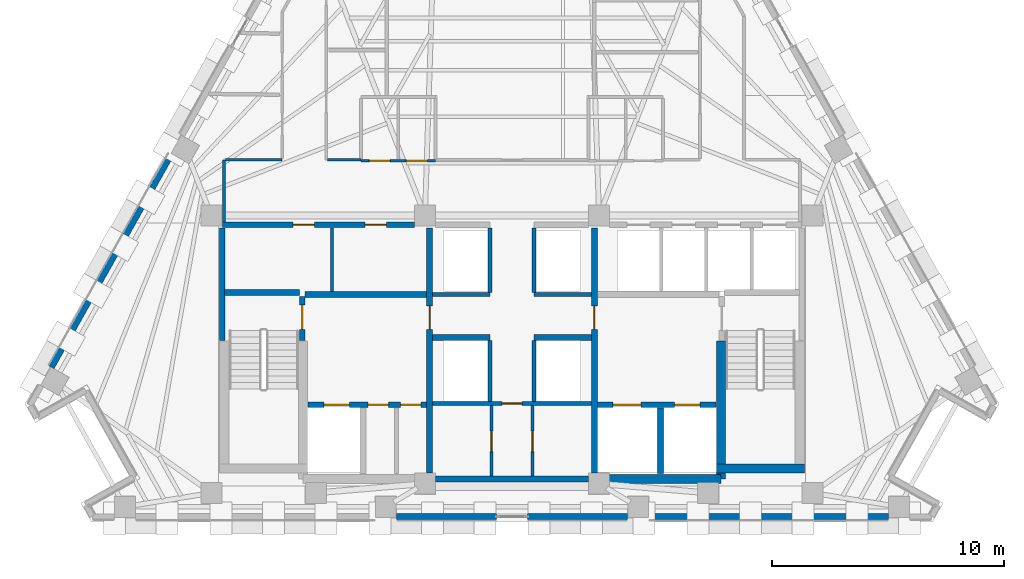
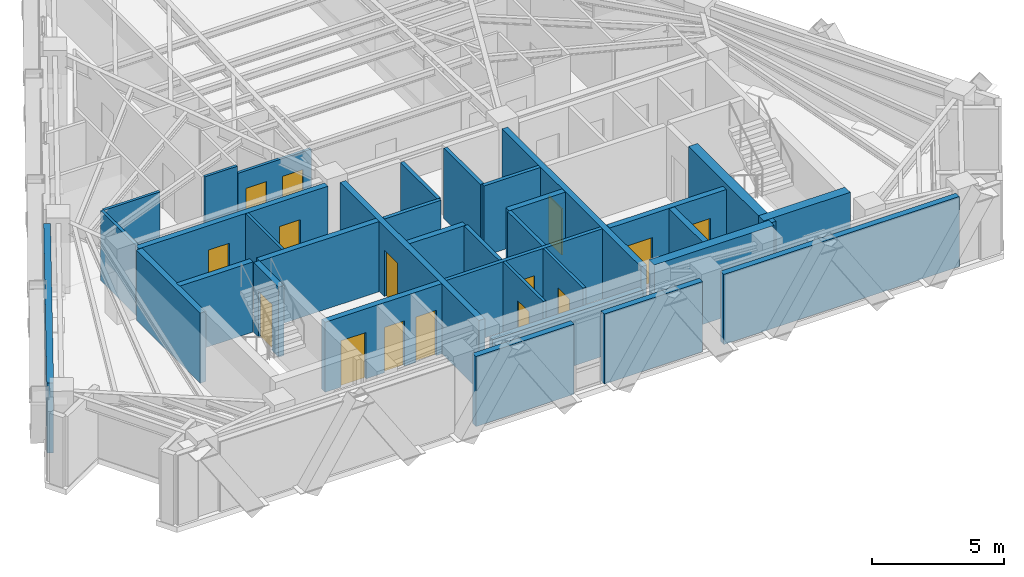
# One storey, part 7 of 12: 34 walls, 15 doors, 15 openings.
"""IFC4 building model written with IfcOpenShell, lengths in metres."""

from ifc_helpers import new_model, si_unit, direction, frame, frame_2d, origin, place, context, subcontext, project, spatial, rectangle, extrude, material, layer, layer_set, type_object, element, fill, save


model = new_model("IFC4")

# Units and contexts
model_context = context("Model", 3, precision=1e-05, world=origin(), true_north=direction((0.0, 1.0)))
body_context = subcontext(model_context, "Body", "Model", "MODEL_VIEW")
ifc_project = project(units=[si_unit("LENGTHUNIT", "METRE"), si_unit("AREAUNIT", "SQUARE_METRE"), si_unit("VOLUMEUNIT", "CUBIC_METRE"), si_unit("PLANEANGLEUNIT", "RADIAN"), si_unit("MASSUNIT", "GRAM", prefix="KILO")], contexts=[model_context])

# Site, building, storey
site_placement = place(None, origin())
site = spatial("IfcSite", under=ifc_project, at=site_placement, CompositionType="ELEMENT")
building_placement = place(site_placement, origin())
building = spatial("IfcBuilding", under=site, at=building_placement, Name="Quenlor Broadcast Tower", CompositionType="ELEMENT")
storey_placement = place(building_placement, frame((0.0, 0.0, 186.89990234375)))
storey = spatial("IfcBuildingStorey", under=building, at=storey_placement, Name="L51", CompositionType="ELEMENT", Elevation=186.89990234375)

# Walls
ifc_material_1 = material(Name="Concrete C50/60", Category="concrete")
ifc_layer_1 = layer(ifc_material_1, 0.39990234375)
ifc_layer_set_1 = layer_set([ifc_layer_1], Name="Core Concrete C50/60 Shear Wall 400")
wall_type_1 = type_object("IfcWallType", Name="Core Concrete C50/60 Shear Wall 400", PredefinedType="SHEAR", material=ifc_layer_set_1)
wall_1_placement = place(storey_placement, frame((3.75, -16.14990234375, 0.0), z_axis=(0.0, 0.0, 1.0), x_axis=(1.0, 0.0, 0.0)))
element("IfcWall", 1, at=wall_1_placement, inside=storey, type_object=wall_type_1, Name="L51 Core Shear Wall WS-E1", PredefinedType="SHEAR", context=body_context, shape_type="SweptSolid", body=[
    extrude(rectangle(XDim=5.25, YDim=0.39990234375, at=frame_2d((2.625, 0.0))), origin(), (0.0, 0.0, 1.0), 3.5),
])
wall_2_placement = place(storey_placement, frame((8.800048828125, -15.699951171875, 0.0), z_axis=(0.0, 0.0, 1.0), x_axis=(1.0, 0.0, 0.0)))
element("IfcWall", 2, at=wall_2_placement, inside=storey, type_object=wall_type_1, Name="L51 Core Shear Wall WS-E2", PredefinedType="SHEAR", context=body_context, shape_type="SweptSolid", body=[
    extrude(rectangle(XDim=3.800048828125, YDim=0.39990234375, at=frame_2d((1.89990234375, 0.0))), origin(), (0.0, 0.0, 1.0), 3.5),
])
wall_3_placement = place(storey_placement, frame((9.0, -16.14990234375, 0.0), z_axis=(0.0, 0.0, 1.0), x_axis=(0.0, 1.0, 0.0)))
element("IfcWall", 3, at=wall_3_placement, inside=storey, type_object=wall_type_1, Name="L51 Core Shear Wall WI-E", PredefinedType="SHEAR", context=body_context, shape_type="SweptSolid", body=[
    extrude(rectangle(XDim=5.949951171875, YDim=0.39990234375, at=frame_2d((2.97509765625, 0.0))), origin(), (0.0, 0.0, 1.0), 3.5),
])

# Wall, opening, door
ifc_material_2 = material(Name="Concrete C40/50", Category="concrete")
ifc_layer_2 = layer(ifc_material_2, 0.25)
ifc_layer_set_2 = layer_set([ifc_layer_2], Name="Fire Rated Concrete C40/50 Core Wall 250")
wall_type_2 = type_object("IfcWallType", Name="Fire Rated Concrete C40/50 Core Wall 250", PredefinedType="PARTITIONING", material=ifc_layer_set_2)
wall_4_placement = place(storey_placement, frame((-9.0400390625, -10.179931640625, 0.0), z_axis=(0.0, 0.0, 1.0), x_axis=(0.0, 1.0, 0.0)))
wall_4 = element("IfcWall", 4, at=wall_4_placement, inside=storey, type_object=wall_type_2, Name="L51 Interior Wall CW-ST1-DR", PredefinedType="PARTITIONING", context=body_context, shape_type="SweptSolid", body=[
    extrude(rectangle(XDim=1.89990234375, YDim=0.25, at=frame_2d((0.949951171875, 0.0))), origin(), (0.0, 0.0, 1.0), 3.25),
])
opening_1_placement = place(wall_4_placement, frame((0.47998046875, 0.0, 0.0)))
opening_1 = element("IfcOpeningElement", 5, at=opening_1_placement, cuts=wall_4, Name="Opening FD-1", PredefinedType="OPENING", context=body_context, shape_type="SweptSolid", body=[
    extrude(rectangle(XDim=1.050048828125, YDim=2.14990234375, at=frame_2d((0.52490234375, 1.074951171875))), frame((0.0, 0.135009765625, 0.0), z_axis=(0.0, -1.0, 0.0), x_axis=(1.0, 0.0, 0.0)), (0.0, 0.0, 1.0), 0.27001953125),
])
ifc_material_3 = material(Name="Fire Rated Steel Door Leaf", Category="steel")
door_type_1 = type_object("IfcDoorType", Name="Fire Isolated Stair Door 1050x2150", OperationType="NOTDEFINED", PredefinedType="DOOR", material=ifc_material_3)
door_1_placement = place(opening_1_placement, origin())
door_1 = element("IfcDoor", 6, at=door_1_placement, inside=storey, type_object=door_type_1, Name="L51 Door DR-ST1", OperationType="SINGLE_SWING_LEFT", OverallHeight=2.14990234375, OverallWidth=1.050048828125, PredefinedType="DOOR", context=body_context, shape_type="SweptSolid", body=[
    extrude(rectangle(XDim=1.050048828125, YDim=2.14990234375, at=frame_2d((0.52490234375, 1.074951171875))), frame((0.0, 0.02490234375, 0.0), z_axis=(0.0, -1.0, 0.0), x_axis=(1.0, 0.0, 0.0)), (0.0, 0.0, 1.0), 0.050048828125),
])
fill(opening_1, door_1)

# Walls
wall_5_placement = place(storey_placement, frame((-12.3798828125, -8.1201171875, 0.0), z_axis=(0.0, 0.0, 1.0), x_axis=(1.0, 0.0, 0.0)))
element("IfcWall", 7, at=wall_5_placement, inside=storey, type_object=wall_type_2, Name="L51 Interior Wall CW-ST1-N", PredefinedType="PARTITIONING", context=body_context, shape_type="SweptSolid", body=[
    extrude(rectangle(XDim=3.219970703125, YDim=0.25, at=frame_2d((1.60986328125, 0.0))), origin(), (0.0, 0.0, 1.0), 3.25),
])
wall_6_placement = place(storey_placement, frame((-12.47998046875, -10.179931640625, 0.0), z_axis=(0.0, 0.0, 1.0), x_axis=(0.0, 1.0, 0.0)))
element("IfcWall", 8, at=wall_6_placement, inside=storey, type_object=wall_type_2, Name="L51 Interior Wall CW-ST1-W2", PredefinedType="PARTITIONING", context=body_context, shape_type="SweptSolid", body=[
    extrude(rectangle(XDim=4.83984375, YDim=0.25, at=frame_2d((2.419921875, 0.0))), origin(), (0.0, 0.0, 1.0), 3.25),
])

# Wall, openings, doors
wall_7_placement = place(storey_placement, frame((-8.798095703125, -12.949951171875, 0.0), z_axis=(0.0, 0.0, 1.0), x_axis=(1.0, 0.0, 0.0)))
wall_7 = element("IfcWall", 9, at=wall_7_placement, inside=storey, type_object=wall_type_2, Name="L51 Interior Wall CW-FFW-S", PredefinedType="PARTITIONING", context=body_context, shape_type="SweptSolid", body=[
    extrude(rectangle(XDim=5.1181640625, YDim=0.25, at=frame_2d((2.55908203125, 0.0))), origin(), (0.0, 0.0, 1.0), 3.25),
])
opening_2_placement = place(wall_7_placement, frame((0.697998046875, 0.0, 0.0)))
opening_2 = element("IfcOpeningElement", 10, at=opening_2_placement, cuts=wall_7, Name="Opening LD-FFL-1", PredefinedType="OPENING", context=body_context, shape_type="SweptSolid", body=[
    extrude(rectangle(XDim=1.10009765625, YDim=2.14990234375, at=frame_2d((0.550048828125, 1.074951171875))), frame((0.0, 0.135009765625, 0.0), z_axis=(0.0, -1.0, 0.0), x_axis=(1.0, 0.0, 0.0)), (0.0, 0.0, 1.0), 0.27001953125),
])
opening_3_placement = place(wall_7_placement, frame((2.597900390625, 0.0, 0.0)))
opening_3 = element("IfcOpeningElement", 11, at=opening_3_placement, cuts=wall_7, Name="Opening TD-1", PredefinedType="OPENING", context=body_context, shape_type="SweptSolid", body=[
    extrude(rectangle(XDim=0.8798828125, YDim=2.10009765625, at=frame_2d((0.43994140625, 1.050048828125))), frame((0.0, 0.135009765625, 0.0), z_axis=(0.0, -1.0, 0.0), x_axis=(1.0, 0.0, 0.0)), (0.0, 0.0, 1.0), 0.27001953125),
])
opening_4_placement = place(wall_7_placement, frame((3.998046875, 0.0, 0.0)))
opening_4 = element("IfcOpeningElement", 12, at=opening_4_placement, cuts=wall_7, Name="Opening TD-1", PredefinedType="OPENING", context=body_context, shape_type="SweptSolid", body=[
    extrude(rectangle(XDim=0.8798828125, YDim=2.10009765625, at=frame_2d((0.43994140625, 1.050048828125))), frame((0.0, 0.135009765625, 0.0), z_axis=(0.0, -1.0, 0.0), x_axis=(1.0, 0.0, 0.0)), (0.0, 0.0, 1.0), 0.27001953125),
])
ifc_material_4 = material(Name="Brushed Stainless Steel", Category="steel")
door_type_2 = type_object("IfcDoorType", Name="Emergency Lift Sliding Landing Door 1100x2150", OperationType="NOTDEFINED", PredefinedType="DOOR", material=ifc_material_4)
door_2_placement = place(opening_2_placement, origin())
door_2 = element("IfcDoor", 13, at=door_2_placement, inside=storey, type_object=door_type_2, Name="L51 Door LD-FFL-1", OperationType="SLIDING_TO_LEFT", OverallHeight=2.14990234375, OverallWidth=1.10009765625, PredefinedType="DOOR", context=body_context, shape_type="SweptSolid", body=[
    extrude(rectangle(XDim=1.10009765625, YDim=2.14990234375, at=frame_2d((0.550048828125, 1.074951171875))), frame((0.0, 0.02490234375, 0.0), z_axis=(0.0, -1.0, 0.0), x_axis=(1.0, 0.0, 0.0)), (0.0, 0.0, 1.0), 0.050048828125),
])
fill(opening_2, door_2)
ifc_material_5 = material(Name="Fire Rated Steel Access Panel", Category="steel")
door_type_3 = type_object("IfcDoorType", Name="Riser Shaft Rated Access Trapdoor 880x2100", OperationType="NOTDEFINED", PredefinedType="TRAPDOOR", material=ifc_material_5)
door_3_placement = place(opening_3_placement, origin())
door_3 = element("IfcDoor", 14, at=door_3_placement, inside=storey, type_object=door_type_3, Name="L51 Door DR-ELR", OperationType="SINGLE_SWING_LEFT", OverallHeight=2.10009765625, OverallWidth=0.8798828125, PredefinedType="TRAPDOOR", context=body_context, shape_type="SweptSolid", body=[
    extrude(rectangle(XDim=0.8798828125, YDim=2.10009765625, at=frame_2d((0.43994140625, 1.050048828125))), frame((0.0, 0.02490234375, 0.0), z_axis=(0.0, -1.0, 0.0), x_axis=(1.0, 0.0, 0.0)), (0.0, 0.0, 1.0), 0.050048828125),
])
fill(opening_3, door_3)
door_4_placement = place(opening_4_placement, origin())
door_4 = element("IfcDoor", 15, at=door_4_placement, inside=storey, type_object=door_type_3, Name="L51 Door DR-CMR", OperationType="SINGLE_SWING_RIGHT", OverallHeight=2.10009765625, OverallWidth=0.8798828125, PredefinedType="TRAPDOOR", context=body_context, shape_type="SweptSolid", body=[
    extrude(rectangle(XDim=0.8798828125, YDim=2.10009765625, at=frame_2d((0.43994140625, 1.050048828125))), frame((0.0, 0.02490234375, 0.0), z_axis=(0.0, -1.0, 0.0), x_axis=(1.0, 0.0, 0.0)), (0.0, 0.0, 1.0), 0.050048828125),
])
fill(opening_4, door_4)

wall_8_placement = place(storey_placement, frame((3.679931640625, -12.949951171875, 0.0), z_axis=(0.0, 0.0, 1.0), x_axis=(1.0, 0.0, 0.0)))
wall_8 = element("IfcWall", 16, at=wall_8_placement, inside=storey, type_object=wall_type_2, Name="L51 Interior Wall CW-FFE-S", PredefinedType="PARTITIONING", context=body_context, shape_type="SweptSolid", body=[
    extrude(rectangle(XDim=5.1181640625, YDim=0.25, at=frame_2d((2.55908203125, 0.0))), origin(), (0.0, 0.0, 1.0), 3.25),
])
opening_5_placement = place(wall_8_placement, frame((3.320068359375, 0.0, 0.0)))
opening_5 = element("IfcOpeningElement", 17, at=opening_5_placement, cuts=wall_8, Name="Opening LD-FFL-2", PredefinedType="OPENING", context=body_context, shape_type="SweptSolid", body=[
    extrude(rectangle(XDim=1.10009765625, YDim=2.14990234375, at=frame_2d((0.550048828125, 1.074951171875))), frame((0.0, 0.135009765625, 0.0), z_axis=(0.0, -1.0, 0.0), x_axis=(1.0, 0.0, 0.0)), (0.0, 0.0, 1.0), 0.27001953125),
])
opening_6_placement = place(wall_8_placement, frame((0.669921875, 0.0, 0.0)))
opening_6 = element("IfcOpeningElement", 18, at=opening_6_placement, cuts=wall_8, Name="Opening LD-SVL-1", PredefinedType="OPENING", context=body_context, shape_type="SweptSolid", body=[
    extrude(rectangle(XDim=1.199951171875, YDim=2.14990234375, at=frame_2d((0.60009765625, 1.074951171875))), frame((0.0, 0.135009765625, 0.0), z_axis=(0.0, -1.0, 0.0), x_axis=(1.0, 0.0, 0.0)), (0.0, 0.0, 1.0), 0.27001953125),
])
door_5_placement = place(opening_5_placement, origin())
door_5 = element("IfcDoor", 19, at=door_5_placement, inside=storey, type_object=door_type_2, Name="L51 Door LD-FFL-2", OperationType="SLIDING_TO_RIGHT", OverallHeight=2.14990234375, OverallWidth=1.10009765625, PredefinedType="DOOR", context=body_context, shape_type="SweptSolid", body=[
    extrude(rectangle(XDim=1.10009765625, YDim=2.14990234375, at=frame_2d((0.550048828125, 1.074951171875))), frame((0.0, 0.02490234375, 0.0), z_axis=(0.0, -1.0, 0.0), x_axis=(1.0, 0.0, 0.0)), (0.0, 0.0, 1.0), 0.050048828125),
])
fill(opening_5, door_5)
ifc_material_6 = material(Name="Brushed Stainless Steel", Category="steel")
door_type_4 = type_object("IfcDoorType", Name="Goods Lift Sliding Landing Door 1200x2150", OperationType="NOTDEFINED", PredefinedType="DOOR", material=ifc_material_6)
door_6_placement = place(opening_6_placement, origin())
door_6 = element("IfcDoor", 20, at=door_6_placement, inside=storey, type_object=door_type_4, Name="L51 Door LD-SVL-1", OperationType="SLIDING_TO_LEFT", OverallHeight=2.14990234375, OverallWidth=1.199951171875, PredefinedType="DOOR", context=body_context, shape_type="SweptSolid", body=[
    extrude(rectangle(XDim=1.199951171875, YDim=2.14990234375, at=frame_2d((0.60009765625, 1.074951171875))), frame((0.0, 0.02490234375, 0.0), z_axis=(0.0, -1.0, 0.0), x_axis=(1.0, 0.0, 0.0)), (0.0, 0.0, 1.0), 0.050048828125),
])
fill(opening_6, door_6)

# Walls
wall_9_placement = place(storey_placement, frame((6.39990234375, -15.919921875, 0.0), z_axis=(0.0, 0.0, 1.0), x_axis=(0.0, 1.0, 0.0)))
element("IfcWall", 21, at=wall_9_placement, inside=storey, type_object=wall_type_2, Name="L51 Interior Wall CW-SV1-E", PredefinedType="PARTITIONING", context=body_context, shape_type="SweptSolid", body=[
    extrude(rectangle(XDim=2.829833984375, YDim=0.25, at=frame_2d((1.4150390625, 0.0))), origin(), (0.0, 0.0, 1.0), 3.25),
])
wall_10_placement = place(storey_placement, frame((-8.919921875, -8.199951171875, 0.0), z_axis=(0.0, 0.0, 1.0), x_axis=(1.0, 0.0, 0.0)))
element("IfcWall", 22, at=wall_10_placement, inside=storey, type_object=wall_type_2, Name="L51 Interior Wall CW-FFW-N", PredefinedType="PARTITIONING", context=body_context, shape_type="SweptSolid", body=[
    extrude(rectangle(XDim=5.239990234375, YDim=0.25, at=frame_2d((2.6201171875, 0.0))), origin(), (0.0, 0.0, 1.0), 3.25),
])

# Wall, opening, door
wall_11_placement = place(storey_placement, frame((-3.550048828125, -15.89794921875, 0.0), z_axis=(0.0, 0.0, 1.0), x_axis=(0.0, 1.0, 0.0)))
wall_11 = element("IfcWall", 23, at=wall_11_placement, inside=storey, type_object=wall_type_2, Name="L51 Interior Wall CW-FFW-E", PredefinedType="PARTITIONING", context=body_context, shape_type="SweptSolid", body=[
    extrude(rectangle(XDim=10.557861328125, YDim=0.25, at=frame_2d((5.27880859375, 0.0))), origin(), (0.0, 0.0, 1.0), 3.25),
])
opening_7_placement = place(wall_11_placement, frame((6.197998046875, 0.0, 0.0)))
opening_7 = element("IfcOpeningElement", 24, at=opening_7_placement, cuts=wall_11, Name="Opening FD-2", PredefinedType="OPENING", context=body_context, shape_type="SweptSolid", body=[
    extrude(rectangle(XDim=1.0, YDim=2.14990234375, at=frame_2d((0.5, 1.074951171875))), frame((0.0, 0.135009765625, 0.0), z_axis=(0.0, -1.0, 0.0), x_axis=(1.0, 0.0, 0.0)), (0.0, 0.0, 1.0), 0.27001953125),
])
ifc_material_7 = material(Name="Fire Rated Glazed Steel Door", Category="steel")
door_type_5 = type_object("IfcDoorType", Name="Firefighting Lobby Smoke Door 1000x2150", OperationType="NOTDEFINED", PredefinedType="DOOR", material=ifc_material_7)
door_7_placement = place(opening_7_placement, origin())
door_7 = element("IfcDoor", 25, at=door_7_placement, inside=storey, type_object=door_type_5, Name="L51 Door DR-FFLW", OperationType="SINGLE_SWING_RIGHT", OverallHeight=2.14990234375, OverallWidth=1.0, PredefinedType="DOOR", context=body_context, shape_type="SweptSolid", body=[
    extrude(rectangle(XDim=1.0, YDim=2.14990234375, at=frame_2d((0.5, 1.074951171875))), frame((0.0, 0.02490234375, 0.0), z_axis=(0.0, -1.0, 0.0), x_axis=(1.0, 0.0, 0.0)), (0.0, 0.0, 1.0), 0.050048828125),
])
fill(opening_7, door_7)

wall_12_placement = place(storey_placement, frame((3.550048828125, -15.89794921875, 0.0), z_axis=(0.0, 0.0, 1.0), x_axis=(0.0, 1.0, 0.0)))
wall_12 = element("IfcWall", 26, at=wall_12_placement, inside=storey, type_object=wall_type_2, Name="L51 Interior Wall CW-FFE-W", PredefinedType="PARTITIONING", context=body_context, shape_type="SweptSolid", body=[
    extrude(rectangle(XDim=10.557861328125, YDim=0.25, at=frame_2d((5.27880859375, 0.0))), origin(), (0.0, 0.0, 1.0), 3.25),
])
opening_8_placement = place(wall_12_placement, frame((6.197998046875, 0.0, 0.0)))
opening_8 = element("IfcOpeningElement", 27, at=opening_8_placement, cuts=wall_12, Name="Opening FD-2", PredefinedType="OPENING", context=body_context, shape_type="SweptSolid", body=[
    extrude(rectangle(XDim=1.0, YDim=2.14990234375, at=frame_2d((0.5, 1.074951171875))), frame((0.0, 0.135009765625, 0.0), z_axis=(0.0, -1.0, 0.0), x_axis=(1.0, 0.0, 0.0)), (0.0, 0.0, 1.0), 0.27001953125),
])
door_8_placement = place(opening_8_placement, origin())
door_8 = element("IfcDoor", 28, at=door_8_placement, inside=storey, type_object=door_type_5, Name="L51 Door DR-FFLE", OperationType="SINGLE_SWING_LEFT", OverallHeight=2.14990234375, OverallWidth=1.0, PredefinedType="DOOR", context=body_context, shape_type="SweptSolid", body=[
    extrude(rectangle(XDim=1.0, YDim=2.14990234375, at=frame_2d((0.5, 1.074951171875))), frame((0.0, 0.02490234375, 0.0), z_axis=(0.0, -1.0, 0.0), x_axis=(1.0, 0.0, 0.0)), (0.0, 0.0, 1.0), 0.050048828125),
])
fill(opening_8, door_8)

# Wall, openings, doors
wall_13_placement = place(storey_placement, frame((-12.47998046875, -5.199951171875, 0.0), z_axis=(0.0, 0.0, 1.0), x_axis=(1.0, 0.0, 0.0)))
wall_13 = element("IfcWall", 29, at=wall_13_placement, inside=storey, type_object=wall_type_2, Name="L51 Interior Wall CW-N-W", PredefinedType="PARTITIONING", context=body_context, shape_type="SweptSolid", body=[
    extrude(rectangle(XDim=8.278076171875, YDim=0.25, at=frame_2d((4.13916015625, 0.0))), origin(), (0.0, 0.0, 1.0), 3.25),
])
opening_9_placement = place(wall_13_placement, frame((3.050048828125, 0.0, 0.0)))
opening_9 = element("IfcOpeningElement", 30, at=opening_9_placement, cuts=wall_13, Name="Opening ID-1", PredefinedType="OPENING", context=body_context, shape_type="SweptSolid", body=[
    extrude(rectangle(XDim=0.919921875, YDim=2.1201171875, at=frame_2d((0.4599609375, 1.06005859375))), frame((0.0, 0.135009765625, 0.0), z_axis=(0.0, -1.0, 0.0), x_axis=(1.0, 0.0, 0.0)), (0.0, 0.0, 1.0), 0.27001953125),
])
opening_10_placement = place(wall_13_placement, frame((6.14990234375, 0.0, 0.0)))
opening_10 = element("IfcOpeningElement", 31, at=opening_10_placement, cuts=wall_13, Name="Opening ID-1", PredefinedType="OPENING", context=body_context, shape_type="SweptSolid", body=[
    extrude(rectangle(XDim=0.919921875, YDim=2.1201171875, at=frame_2d((0.4599609375, 1.06005859375))), frame((0.0, 0.135009765625, 0.0), z_axis=(0.0, -1.0, 0.0), x_axis=(1.0, 0.0, 0.0)), (0.0, 0.0, 1.0), 0.27001953125),
])
ifc_material_8 = material(Name="Solid Core Timber Oak", Category="wood")
door_type_6 = type_object("IfcDoorType", Name="Single Leaf Timber Office Door 920x2120", OperationType="NOTDEFINED", PredefinedType="DOOR", material=ifc_material_8)
door_9_placement = place(opening_9_placement, origin())
door_9 = element("IfcDoor", 32, at=door_9_placement, inside=storey, type_object=door_type_6, Name="L51 Door DR-RCL1", OperationType="SINGLE_SWING_LEFT", OverallHeight=2.1201171875, OverallWidth=0.919921875, PredefinedType="DOOR", context=body_context, shape_type="SweptSolid", body=[
    extrude(rectangle(XDim=0.919921875, YDim=2.1201171875, at=frame_2d((0.4599609375, 1.06005859375))), frame((0.0, 0.02490234375, 0.0), z_axis=(0.0, -1.0, 0.0), x_axis=(1.0, 0.0, 0.0)), (0.0, 0.0, 1.0), 0.050048828125),
])
fill(opening_9, door_9)
door_10_placement = place(opening_10_placement, origin())
door_10 = element("IfcDoor", 33, at=door_10_placement, inside=storey, type_object=door_type_6, Name="L51 Door DR-RCL2", OperationType="SINGLE_SWING_RIGHT", OverallHeight=2.1201171875, OverallWidth=0.919921875, PredefinedType="DOOR", context=body_context, shape_type="SweptSolid", body=[
    extrude(rectangle(XDim=0.919921875, YDim=2.1201171875, at=frame_2d((0.4599609375, 1.06005859375))), frame((0.0, 0.02490234375, 0.0), z_axis=(0.0, -1.0, 0.0), x_axis=(1.0, 0.0, 0.0)), (0.0, 0.0, 1.0), 0.050048828125),
])
fill(opening_10, door_10)

# Walls
wall_14_placement = place(storey_placement, frame((-3.298095703125, -16.14990234375, 0.0), z_axis=(0.0, 0.0, 1.0), x_axis=(1.0, 0.0, 0.0)))
element("IfcWall", 34, at=wall_14_placement, inside=storey, type_object=wall_type_2, Name="L51 Interior Wall CW-MS-S", PredefinedType="PARTITIONING", context=body_context, shape_type="SweptSolid", body=[
    extrude(rectangle(XDim=6.59619140625, YDim=0.25, at=frame_2d((3.298095703125, 0.0))), origin(), (0.0, 0.0, 1.0), 2.4501953125),
])
for number, where, z_axis, x_axis, name in (
    (35, (-3.419921875, -10.050048828125, 0.0), (0.0, 0.0, 1.0), (1.0, 0.0, 0.0), "L51 Interior Wall CW-MS-N1"),
    (36, (0.949951171875, -10.050048828125, 0.0), (0.0, 0.0, 1.0), (1.0, 0.0, 0.0), "L51 Interior Wall CW-MS-N2"),
):
    element("IfcWall", number, at=place(storey_placement, frame(where, z_axis=z_axis, x_axis=x_axis)), inside=storey, type_object=wall_type_2, Name=name, PredefinedType="PARTITIONING", context=body_context, shape_type="SweptSolid", body=[
        extrude(rectangle(XDim=2.469970703125, YDim=0.25, at=frame_2d((1.23486328125, 0.0))), origin(), (0.0, 0.0, 1.0), 3.25),
    ])
ifc_material_9 = material(Name="Gypsum Fireboard Partition", Category="other")
ifc_layer_3 = layer(ifc_material_9, 0.159912109375)
ifc_layer_set_3 = layer_set([ifc_layer_3], Name="Fire Rated Shaft and Corridor Partition 160")
wall_type_3 = type_object("IfcWallType", Name="Fire Rated Shaft and Corridor Partition 160", PredefinedType="PARTITIONING", material=ifc_layer_set_3)
for number, where, z_axis, x_axis, name in (
    (37, (-0.949951171875, -8.1201171875, 0.0), (0.0, 0.0, 1.0), (0.0, 1.0, 0.0), "L51 Interior Wall CW-CCRP-W"),
    (38, (0.949951171875, -8.1201171875, 0.0), (0.0, 0.0, 1.0), (0.0, 1.0, 0.0), "L51 Interior Wall CW-CCRP-E"),
):
    element("IfcWall", number, at=place(storey_placement, frame(where, z_axis=z_axis, x_axis=x_axis)), inside=storey, type_object=wall_type_3, Name=name, PredefinedType="PARTITIONING", context=body_context, shape_type="SweptSolid", body=[
        extrude(rectangle(XDim=2.780029296875, YDim=0.159912109375, at=frame_2d((1.39013671875, 0.0))), origin(), (0.0, 0.0, 1.0), 3.25),
    ])
for number, where, z_axis, x_axis, name in (
    (39, (-3.419921875, -8.199951171875, 0.0), (0.0, 0.0, 1.0), (1.0, 0.0, 0.0), "L51 Interior Wall CW-M-BACK1"),
    (40, (0.949951171875, -8.199951171875, 0.0), (0.0, 0.0, 1.0), (1.0, 0.0, 0.0), "L51 Interior Wall CW-M-BACK2"),
):
    element("IfcWall", number, at=place(storey_placement, frame(where, z_axis=z_axis, x_axis=x_axis)), inside=storey, type_object=wall_type_3, Name=name, PredefinedType="PARTITIONING", context=body_context, shape_type="SweptSolid", body=[
        extrude(rectangle(XDim=2.469970703125, YDim=0.159912109375, at=frame_2d((1.23486328125, 0.0))), origin(), (0.0, 0.0, 1.0), 3.25),
    ])

# Wall, opening, door
wall_15_placement = place(storey_placement, frame((-3.419921875, -12.89990234375, 0.0), z_axis=(0.0, 0.0, 1.0), x_axis=(1.0, 0.0, 0.0)))
wall_15 = element("IfcWall", 41, at=wall_15_placement, inside=storey, type_object=wall_type_3, Name="L51 Interior Wall CW-MS-B", PredefinedType="PARTITIONING", context=body_context, shape_type="SweptSolid", body=[
    extrude(rectangle(XDim=6.83984375, YDim=0.159912109375, at=frame_2d((3.419921875, 0.0))), origin(), (0.0, 0.0, 1.0), 3.25),
])
opening_11_placement = place(wall_15_placement, frame((2.97998046875, 0.0, 0.0)))
opening_11 = element("IfcOpeningElement", 42, at=opening_11_placement, cuts=wall_15, Name="Opening ID-4", PredefinedType="OPENING", context=body_context, shape_type="SweptSolid", body=[
    extrude(rectangle(XDim=0.8798828125, YDim=2.1201171875, at=frame_2d((0.43994140625, 1.06005859375))), frame((0.0, 0.08984375, 0.0), z_axis=(0.0, -1.0, 0.0), x_axis=(1.0, 0.0, 0.0)), (0.0, 0.0, 1.0), 0.179931640625),
])
ifc_material_10 = material(Name="Solid Core Timber Oak", Category="wood")
door_type_7 = type_object("IfcDoorType", Name="Service Closet Timber Door 880x2120", OperationType="NOTDEFINED", PredefinedType="DOOR", material=ifc_material_10)
door_11_placement = place(opening_11_placement, origin())
door_11 = element("IfcDoor", 43, at=door_11_placement, inside=storey, type_object=door_type_7, Name="L51 Door DR-CSV0", OperationType="SINGLE_SWING_LEFT", OverallHeight=2.1201171875, OverallWidth=0.8798828125, PredefinedType="DOOR", context=body_context, shape_type="SweptSolid", body=[
    extrude(rectangle(XDim=0.8798828125, YDim=2.1201171875, at=frame_2d((0.43994140625, 1.06005859375))), frame((0.0, 0.02490234375, 0.0), z_axis=(0.0, -1.0, 0.0), x_axis=(1.0, 0.0, 0.0)), (0.0, 0.0, 1.0), 0.050048828125),
])
fill(opening_11, door_11)

# Walls
for number, where, z_axis, x_axis, name in (
    (44, (-0.949951171875, -12.818115234375, 0.0), (0.0, 0.0, 1.0), (0.0, 1.0, 0.0), "L51 Interior Wall CW-MS-W"),
    (45, (0.949951171875, -12.818115234375, 0.0), (0.0, 0.0, 1.0), (0.0, 1.0, 0.0), "L51 Interior Wall CW-MS-E"),
):
    element("IfcWall", number, at=place(storey_placement, frame(where, z_axis=z_axis, x_axis=x_axis)), inside=storey, type_object=wall_type_3, Name=name, PredefinedType="PARTITIONING", context=body_context, shape_type="SweptSolid", body=[
        extrude(rectangle(XDim=2.63818359375, YDim=0.159912109375, at=frame_2d((1.319091796875, 0.0))), origin(), (0.0, 0.0, 1.0), 3.25),
    ])
ifc_material_11 = material(Name="Gypsum Plasterboard Partition", Category="other")
ifc_layer_4 = layer(ifc_material_11, 0.1201171875)
ifc_layer_set_4 = layer_set([ifc_layer_4], Name="Standard Office Partition 120")
wall_type_4 = type_object("IfcWallType", Name="Standard Office Partition 120", PredefinedType="PARTITIONING", material=ifc_layer_set_4)
wall_16_placement = place(storey_placement, frame((-7.75, -8.072998046875, 0.0), z_axis=(0.0, 0.0, 1.0), x_axis=(0.0, 1.0, 0.0)))
element("IfcWall", 46, at=wall_16_placement, inside=storey, type_object=wall_type_4, Name="L51 Interior Wall CW-RCL-MID", PredefinedType="PARTITIONING", context=body_context, shape_type="SweptSolid", body=[
    extrude(rectangle(XDim=2.73291015625, YDim=0.1201171875, at=frame_2d((1.366455078125, 0.0))), origin(), (0.0, 0.0, 1.0), 3.25),
])

# Wall, opening, door
wall_17_placement = place(storey_placement, frame((-0.8798828125, -16.02001953125, 0.0), z_axis=(0.0, 0.0, 1.0), x_axis=(0.0, 1.0, 0.0)))
wall_17 = element("IfcWall", 47, at=wall_17_placement, inside=storey, type_object=wall_type_4, Name="L51 Interior Wall CW-CSV-W3", PredefinedType="PARTITIONING", context=body_context, shape_type="SweptSolid", body=[
    extrude(rectangle(XDim=3.0380859375, YDim=0.1201171875, at=frame_2d((1.51904296875, 0.0))), origin(), (0.0, 0.0, 1.0), 3.25),
])
opening_12_placement = place(wall_17_placement, frame((1.050048828125, 0.0, 0.0)))
opening_12 = element("IfcOpeningElement", 48, at=opening_12_placement, cuts=wall_17, Name="Opening ID-4", PredefinedType="OPENING", context=body_context, shape_type="SweptSolid", body=[
    extrude(rectangle(XDim=0.8798828125, YDim=2.1201171875, at=frame_2d((0.43994140625, 1.06005859375))), frame((0.0, 0.070068359375, 0.0), z_axis=(0.0, -1.0, 0.0), x_axis=(1.0, 0.0, 0.0)), (0.0, 0.0, 1.0), 0.14013671875),
])
door_12_placement = place(opening_12_placement, origin())
door_12 = element("IfcDoor", 49, at=door_12_placement, inside=storey, type_object=door_type_7, Name="L51 Door DR-CSV1", OperationType="SINGLE_SWING_LEFT", OverallHeight=2.1201171875, OverallWidth=0.8798828125, PredefinedType="DOOR", context=body_context, shape_type="SweptSolid", body=[
    extrude(rectangle(XDim=0.8798828125, YDim=2.1201171875, at=frame_2d((0.43994140625, 1.06005859375))), frame((0.0, 0.02490234375, 0.0), z_axis=(0.0, -1.0, 0.0), x_axis=(1.0, 0.0, 0.0)), (0.0, 0.0, 1.0), 0.050048828125),
])
fill(opening_12, door_12)

wall_18_placement = place(storey_placement, frame((0.8798828125, -16.02001953125, 0.0), z_axis=(0.0, 0.0, 1.0), x_axis=(0.0, 1.0, 0.0)))
wall_18 = element("IfcWall", 50, at=wall_18_placement, inside=storey, type_object=wall_type_4, Name="L51 Interior Wall CW-CSV-E3", PredefinedType="PARTITIONING", context=body_context, shape_type="SweptSolid", body=[
    extrude(rectangle(XDim=3.0380859375, YDim=0.1201171875, at=frame_2d((1.51904296875, 0.0))), origin(), (0.0, 0.0, 1.0), 3.25),
])
opening_13_placement = place(wall_18_placement, frame((1.050048828125, 0.0, 0.0)))
opening_13 = element("IfcOpeningElement", 51, at=opening_13_placement, cuts=wall_18, Name="Opening ID-4", PredefinedType="OPENING", context=body_context, shape_type="SweptSolid", body=[
    extrude(rectangle(XDim=0.8798828125, YDim=2.1201171875, at=frame_2d((0.43994140625, 1.06005859375))), frame((0.0, 0.070068359375, 0.0), z_axis=(0.0, -1.0, 0.0), x_axis=(1.0, 0.0, 0.0)), (0.0, 0.0, 1.0), 0.14013671875),
])
door_13_placement = place(opening_13_placement, origin())
door_13 = element("IfcDoor", 52, at=door_13_placement, inside=storey, type_object=door_type_7, Name="L51 Door DR-CSV2", OperationType="SINGLE_SWING_RIGHT", OverallHeight=2.1201171875, OverallWidth=0.8798828125, PredefinedType="DOOR", context=body_context, shape_type="SweptSolid", body=[
    extrude(rectangle(XDim=0.8798828125, YDim=2.1201171875, at=frame_2d((0.43994140625, 1.06005859375))), frame((0.0, 0.02490234375, 0.0), z_axis=(0.0, -1.0, 0.0), x_axis=(1.0, 0.0, 0.0)), (0.0, 0.0, 1.0), 0.050048828125),
])
fill(opening_13, door_13)

# Wall, openings, doors
wall_19_placement = place(storey_placement, frame((-6.510009765625, -2.43994140625, 0.0), z_axis=(0.0, 0.0, 1.0), x_axis=(1.0, 0.0, 0.0)))
wall_19 = element("IfcWall", 53, at=wall_19_placement, inside=storey, type_object=wall_type_4, Name="L51 Interior Wall PW-WCW-S", PredefinedType="PARTITIONING", context=body_context, shape_type="SweptSolid", body=[
    extrude(rectangle(XDim=3.219970703125, YDim=0.1201171875, at=frame_2d((1.60986328125, 0.0))), origin(), (0.0, 0.0, 1.0), 2.94287109375),
])
opening_14_placement = place(wall_19_placement, frame((0.360107421875, 0.0, 0.0)))
opening_14 = element("IfcOpeningElement", 54, at=opening_14_placement, cuts=wall_19, Name="Opening ID-3", PredefinedType="OPENING", context=body_context, shape_type="SweptSolid", body=[
    extrude(rectangle(XDim=0.89990234375, YDim=2.1201171875, at=frame_2d((0.449951171875, 1.06005859375))), frame((0.0, 0.070068359375, 0.0), z_axis=(0.0, -1.0, 0.0), x_axis=(1.0, 0.0, 0.0)), (0.0, 0.0, 1.0), 0.14013671875),
])
opening_15_placement = place(wall_19_placement, frame((1.9599609375, 0.0, 0.0)))
opening_15 = element("IfcOpeningElement", 55, at=opening_15_placement, cuts=wall_19, Name="Opening ID-3", PredefinedType="OPENING", context=body_context, shape_type="SweptSolid", body=[
    extrude(rectangle(XDim=0.89990234375, YDim=2.1201171875, at=frame_2d((0.449951171875, 1.06005859375))), frame((0.0, 0.070068359375, 0.0), z_axis=(0.0, -1.0, 0.0), x_axis=(1.0, 0.0, 0.0)), (0.0, 0.0, 1.0), 0.14013671875),
])
ifc_material_12 = material(Name="Moisture Resistant Timber Oak", Category="wood")
door_type_8 = type_object("IfcDoorType", Name="Washroom Privacy Door 900x2120", OperationType="NOTDEFINED", PredefinedType="DOOR", material=ifc_material_12)
door_14_placement = place(opening_14_placement, origin())
door_14 = element("IfcDoor", 56, at=door_14_placement, inside=storey, type_object=door_type_8, Name="L51 Door DR-AWC", OperationType="SINGLE_SWING_LEFT", OverallHeight=2.1201171875, OverallWidth=0.89990234375, PredefinedType="DOOR", context=body_context, shape_type="SweptSolid", body=[
    extrude(rectangle(XDim=0.89990234375, YDim=2.1201171875, at=frame_2d((0.449951171875, 1.06005859375))), frame((0.0, 0.02490234375, 0.0), z_axis=(0.0, -1.0, 0.0), x_axis=(1.0, 0.0, 0.0)), (0.0, 0.0, 1.0), 0.050048828125),
])
fill(opening_14, door_14)
door_15_placement = place(opening_15_placement, origin())
door_15 = element("IfcDoor", 57, at=door_15_placement, inside=storey, type_object=door_type_8, Name="L51 Door DR-SHW", OperationType="SINGLE_SWING_RIGHT", OverallHeight=2.1201171875, OverallWidth=0.89990234375, PredefinedType="DOOR", context=body_context, shape_type="SweptSolid", body=[
    extrude(rectangle(XDim=0.89990234375, YDim=2.1201171875, at=frame_2d((0.449951171875, 1.06005859375))), frame((0.0, 0.02490234375, 0.0), z_axis=(0.0, -1.0, 0.0), x_axis=(1.0, 0.0, 0.0)), (0.0, 0.0, 1.0), 0.050048828125),
])
fill(opening_15, door_15)

# Walls
wall_20_placement = place(storey_placement, frame((-12.409912109375, -5.072998046875, 0.0), z_axis=(0.0, 0.0, 1.0), x_axis=(0.0, 1.0, 0.0)))
element("IfcWall", 58, at=wall_20_placement, inside=storey, type_object=wall_type_4, Name="L51 Interior Wall PW-CR-01", PredefinedType="PARTITIONING", context=body_context, shape_type="SweptSolid", body=[
    extrude(rectangle(XDim=2.673095703125, YDim=0.1201171875, at=frame_2d((1.33642578125, 0.0))), origin(), (0.0, 0.0, 1.0), 3.25),
])
wall_21_placement = place(storey_placement, frame((-12.347900390625, -2.39990234375, 0.0), z_axis=(0.0, 0.0, 1.0), x_axis=(1.0, 0.0, 0.0)))
element("IfcWall", 59, at=wall_21_placement, inside=storey, type_object=wall_type_4, Name="L51 Interior Wall PW-CR-02", PredefinedType="PARTITIONING", context=body_context, shape_type="SweptSolid", body=[
    extrude(rectangle(XDim=2.447998046875, YDim=0.1201171875, at=frame_2d((1.22412109375, 0.0))), origin(), (0.0, 0.0, 1.0), 3.25),
])
wall_22_placement = place(storey_placement, frame((-7.93798828125, -2.39990234375, 0.0), z_axis=(0.0, 0.0, 1.0), x_axis=(1.0, 0.0, 0.0)))
element("IfcWall", 60, at=wall_22_placement, inside=storey, type_object=wall_type_4, Name="L51 Interior Wall PW-CR-06", PredefinedType="PARTITIONING", context=body_context, shape_type="SweptSolid", body=[
    extrude(rectangle(XDim=1.426025390625, YDim=0.1201171875, at=frame_2d((0.712890625, 0.0))), origin(), (0.0, 0.0, 1.0), 3.25),
])
ifc_material_13 = material(Name="Precast concrete C40/50", Category="concrete")
ifc_layer_5 = layer(ifc_material_13, 0.260009765625)
ifc_layer_set_5 = layer_set([ifc_layer_5], Name="Terracotta Precast Concrete C40/50 Upper Wall 260")
wall_type_5 = type_object("IfcWallType", Name="Terracotta Precast Concrete C40/50 Upper Wall 260", PredefinedType="STANDARD", material=ifc_layer_set_5)
wall_23_placement = place(storey_placement, frame((16.220947265625, -17.77490234375, 0.0), z_axis=(0.0, 0.0, 1.0), x_axis=(-1.0, 0.0, 0.0)))
element("IfcWall", 61, at=wall_23_placement, inside=storey, type_object=wall_type_5, Name="L51 Exterior Wall L51-EW-SA", PredefinedType="STANDARD", context=body_context, shape_type="SweptSolid", body=[
    extrude(rectangle(XDim=10.328125, YDim=0.260009765625, at=frame_2d((5.1640625, 0.0))), origin(), (0.0, 0.0, 1.0), 3.25),
])
for number, where, z_axis, x_axis, name in (
    (62, (4.9677734375, -17.77490234375, 0.0), (0.0, 0.0, 1.0), (-1.0, 0.0, 0.0), "L51 Exterior Wall L51-S-SP1"),
    (63, (-0.662353515625, -17.77490234375, 0.0), (0.0, 0.0, 1.0), (-1.0, 0.0, 0.0), "L51 Exterior Wall L51-S-SP2"),
):
    element("IfcWall", number, at=place(storey_placement, frame(where, z_axis=z_axis, x_axis=x_axis)), inside=storey, type_object=wall_type_5, Name=name, PredefinedType="STANDARD", context=body_context, shape_type="SweptSolid", body=[
        extrude(rectangle(XDim=4.305419921875, YDim=0.260009765625, at=frame_2d((2.15283203125, 0.0))), origin(), (0.0, 0.0, 1.0), 3.25),
    ])
wall_24_placement = place(storey_placement, frame((-19.84375, -11.3369140625, 0.0), z_axis=(0.0, 0.0, 1.0), x_axis=(0.490246958575, 0.871583570066, 0.0)))
element("IfcWall", 64, at=wall_24_placement, inside=storey, type_object=wall_type_5, Name="L51 Exterior Wall L51-EW-NWA", PredefinedType="STANDARD", context=body_context, shape_type="SweptSolid", body=[
    extrude(rectangle(XDim=10.551513671875, YDim=0.260009765625, at=frame_2d((5.27587890625, 0.0))), origin(), (0.0, 0.0, 1.0), 3.25),
])

save(model, "model.ifc")
